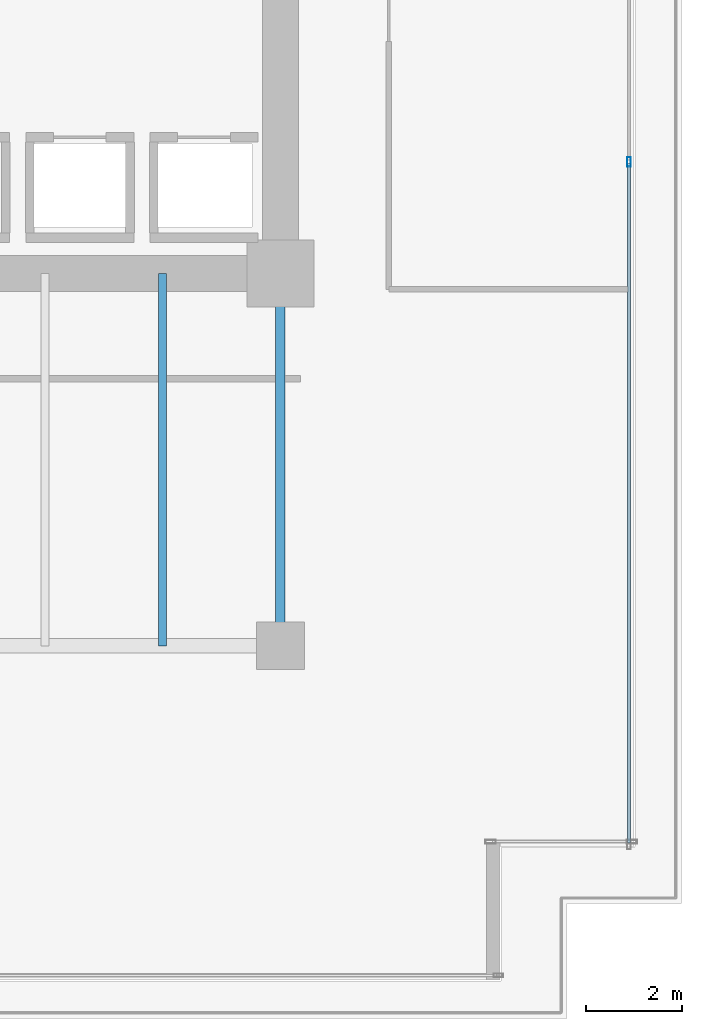
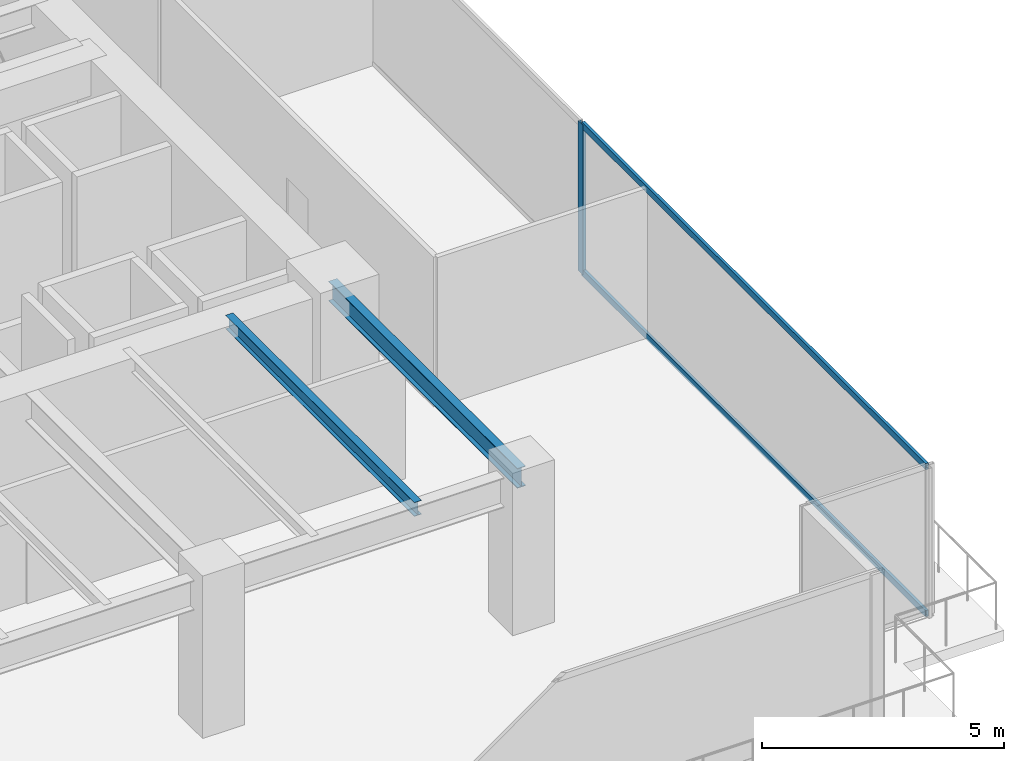
# One storey, part 24 of 36: 3 members, 2 beams, 1 element without a shape of its own.
"""IFC4 building model written with IfcOpenShell, lengths in metres."""

from ifc_helpers import new_model, si_unit, direction, frame, origin, origin_2d, place, context, subcontext, project, spatial, hollow_rectangle, i_section, extrude, source, transform, mapped, material, layer, layer_set, material_profile, profile_set, type_object, type_shapes, element, aggregate, save


model = new_model("IFC4")

# Units and contexts
model_context = context("Model", 3, precision=1e-05, world=origin(), true_north=direction((0.0, 1.0)))
body_context = subcontext(model_context, "Body", "Model", "MODEL_VIEW")
ifc_project = project(units=[si_unit("LENGTHUNIT", "METRE"), si_unit("AREAUNIT", "SQUARE_METRE"), si_unit("VOLUMEUNIT", "CUBIC_METRE"), si_unit("PLANEANGLEUNIT", "RADIAN"), si_unit("MASSUNIT", "GRAM", prefix="KILO")], contexts=[model_context])

# Site, building, storey
site_placement = place(None, origin())
site = spatial("IfcSite", under=ifc_project, at=site_placement, CompositionType="ELEMENT")
building_placement = place(site_placement, origin())
building = spatial("IfcBuilding", under=site, at=building_placement, Name="Haelvirn Gate Laboratories", CompositionType="ELEMENT")
storey_placement = place(building_placement, frame((0.0, 0.0, 25.199951171875)))
storey = spatial("IfcBuildingStorey", under=building, at=storey_placement, Name="L06", CompositionType="ELEMENT", Elevation=25.199951171875)

# Beams
ifc_material_1 = material(Name="Steel SM355", Category="steel")
ifc_material_profile_1 = material_profile(ifc_material_1, i_section(OverallWidth=0.199951171875, OverallDepth=0.5, WebThickness=0.010009765625, FlangeThickness=0.01611328125, at=origin_2d()), Name="H-500x200x10x16")
ifc_profile_set_1 = profile_set([ifc_material_profile_1], Name="Steel SM355")
beam_type_1 = type_object("IfcBeamType", Name="BM-SP-500", PredefinedType="SPANDREL", material=ifc_profile_set_1)
shared_shape_1 = source(origin(), body_context, "Body", "SweptSolid", [
    extrude(i_section(OverallWidth=0.199951171875, OverallDepth=0.5, WebThickness=0.010009765625, FlangeThickness=0.01611328125, at=origin_2d()), origin(), (0.0, 0.0, 1.0), 7.800048828125),
])
type_shapes(beam_type_1, [shared_shape_1])
beam_1_placement = place(storey_placement, frame((67.39990234375, 7.0, 3.530029296875), z_axis=(0.0, 1.0, 0.0), x_axis=(-1.0, 0.0, 0.0)))
element("IfcBeam", 1, at=beam_1_placement, inside=storey, type_object=beam_type_1, Name="L06 Perimeter Spandrel X67.4 (7.0-14.8)", PredefinedType="SPANDREL", context=body_context, shape_type="MappedRepresentation", body=[
    mapped(shared_shape_1, transform((0.0, 0.0, 0.0), scale=1.0)),
])
ifc_material_profile_2 = material_profile(ifc_material_1, i_section(OverallWidth=0.175048828125, OverallDepth=0.35009765625, WebThickness=0.007080078125, FlangeThickness=0.010986328125, at=origin_2d()), Name="H-350x175x7x11")
ifc_profile_set_2 = profile_set([ifc_material_profile_2], Name="Steel SM355")
beam_type_2 = type_object("IfcBeamType", Name="BM-J-350", PredefinedType="JOIST", material=ifc_profile_set_2)
shared_shape_2 = source(origin(), body_context, "Body", "SweptSolid", [
    extrude(i_section(OverallWidth=0.175048828125, OverallDepth=0.35009765625, WebThickness=0.007080078125, FlangeThickness=0.010986328125, at=origin_2d()), origin(), (0.0, 0.0, 1.0), 7.800048828125),
])
type_shapes(beam_type_2, [shared_shape_2])
beam_2_placement = place(storey_placement, frame((64.929931640625, 7.0, 3.60498046875), z_axis=(0.0, 1.0, 0.0), x_axis=(-1.0, 0.0, 0.0)))
element("IfcBeam", 2, at=beam_2_placement, inside=storey, type_object=beam_type_2, Name="L06 Composite Lab Joist South X64.93", PredefinedType="JOIST", context=body_context, shape_type="MappedRepresentation", body=[
    mapped(shared_shape_2, transform((0.0, 0.0, 0.0), scale=1.0)),
])

# Curtain wall, members
ifc_material_2 = material(Name="Anodised bronze unitised aluminium & triple low-E glass", Category="aluminium")
ifc_layer = layer(ifc_material_2, 0.18408203125, Name="CW-SYS-2")
ifc_layer_set = layer_set([ifc_layer], Name="Anodised bronze unitised aluminium & triple low-E glass")
curtain_wall_type = type_object("IfcCurtainWallType", Name="CW-SYS-2", PredefinedType="NOTDEFINED", material=ifc_layer_set)
curtain_wall_placement = place(storey_placement, origin())
curtain_wall = element("IfcCurtainWall", 3, at=curtain_wall_placement, inside=storey, type_object=curtain_wall_type, Name="L06 Unitised Curtain Wall CW-L06-P0-E07", PredefinedType="NOTDEFINED")
ifc_material_3 = material(Name="Extruded aluminium 6063-T6 (anodised bronze)", Category="aluminium")
ifc_material_profile_3 = material_profile(ifc_material_3, hollow_rectangle(XDim=0.074951171875, YDim=0.199951171875, WallThickness=0.0048828125, at=origin_2d()), Name="CWM-200x75x5")
ifc_profile_set_3 = profile_set([ifc_material_profile_3], Name="Extruded aluminium 6063-T6 (anodised bronze)")
member_type_1 = type_object("IfcMemberType", Name="CWM-T200", PredefinedType="MULLION", material=ifc_profile_set_3)
shared_shape_3 = source(origin(), body_context, "Body", "SweptSolid", [
    extrude(hollow_rectangle(XDim=0.074951171875, YDim=0.199951171875, WallThickness=0.0048828125, at=origin_2d()), origin(), (0.0, 0.0, 1.0), 3.780029296875),
])
type_shapes(member_type_1, [shared_shape_3])
member_1_placement = place(storey_placement, frame((74.699951171875, 17.13330078125, 0.0), z_axis=(0.0, 0.0, 1.0), x_axis=(-1.0, 0.0, 0.0)))
member_1 = element("IfcMember", 4, at=member_1_placement, type_object=member_type_1, Name="CW2 mullion 2", PredefinedType="MULLION", context=body_context, shape_type="MappedRepresentation", body=[
    mapped(shared_shape_3, transform((0.0, 0.0, 0.0), scale=1.0)),
])
ifc_material_profile_4 = material_profile(ifc_material_3, hollow_rectangle(XDim=0.070068359375, YDim=0.159912109375, WallThickness=0.0048828125, at=origin_2d()), Name="CWT-160x70x5")
ifc_profile_set_4 = profile_set([ifc_material_profile_4], Name="Extruded aluminium 6063-T6 (anodised bronze)")
member_type_2 = type_object("IfcMemberType", Name="CWT-T160", PredefinedType="USERDEFINED", material=ifc_profile_set_4)
shared_shape_4 = source(origin(), body_context, "Body", "SweptSolid", [
    extrude(hollow_rectangle(XDim=0.070068359375, YDim=0.159912109375, WallThickness=0.0048828125, at=origin_2d()), origin(), (0.0, 0.0, 1.0), 14.220947265625),
])
type_shapes(member_type_2, [shared_shape_4])
member_2_placement = place(storey_placement, frame((74.699951171875, 2.875, 0.03515625), z_axis=(0.0, 1.0, 0.0), x_axis=(-1.0, 0.0, 0.0)))
member_2 = element("IfcMember", 5, at=member_2_placement, type_object=member_type_2, Name="CW2 transom 1.1", ObjectType="TRANSOM", PredefinedType="USERDEFINED", context=body_context, shape_type="MappedRepresentation", body=[
    mapped(shared_shape_4, transform((0.0, 0.0, 0.0), scale=1.0)),
])
member_3_placement = place(storey_placement, frame((74.699951171875, 2.875, 3.7451171875), z_axis=(0.0, 1.0, 0.0), x_axis=(-1.0, 0.0, 0.0)))
member_3 = element("IfcMember", 6, at=member_3_placement, type_object=member_type_2, Name="CW2 transom 1.2", ObjectType="TRANSOM", PredefinedType="USERDEFINED", context=body_context, shape_type="MappedRepresentation", body=[
    mapped(shared_shape_4, transform((0.0, 0.0, 0.0), scale=1.0)),
])
aggregate(curtain_wall, [member_1, member_2, member_3])

save(model, "model.ifc")
